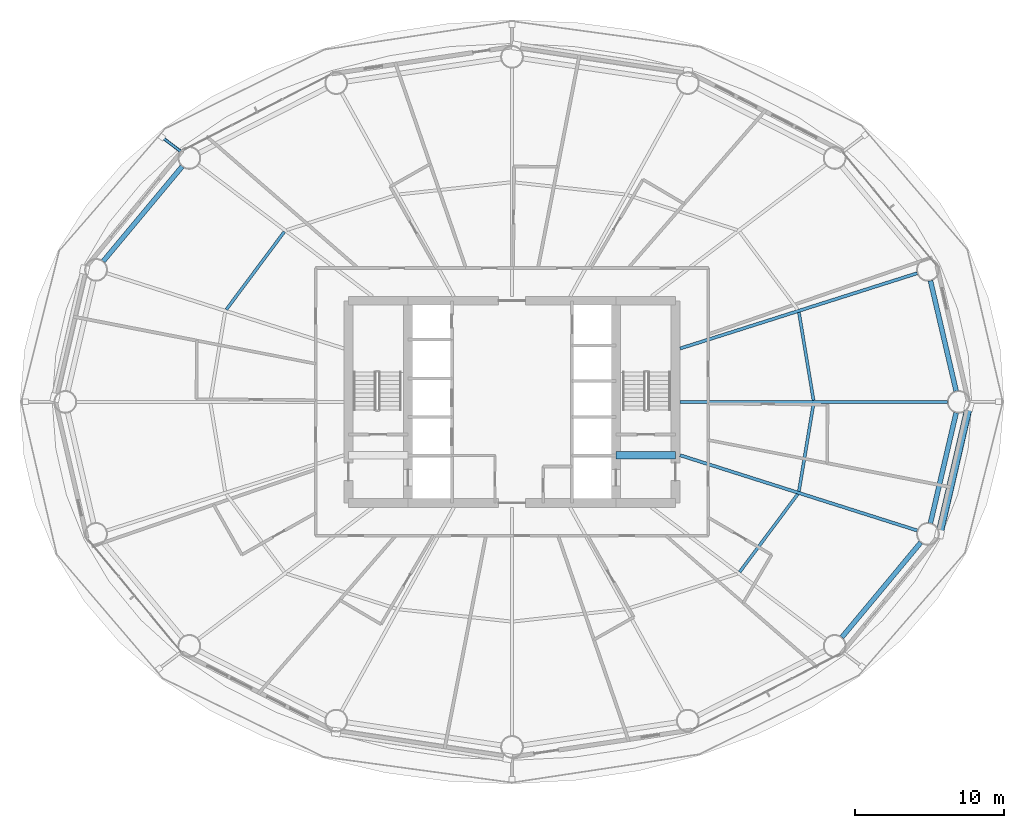
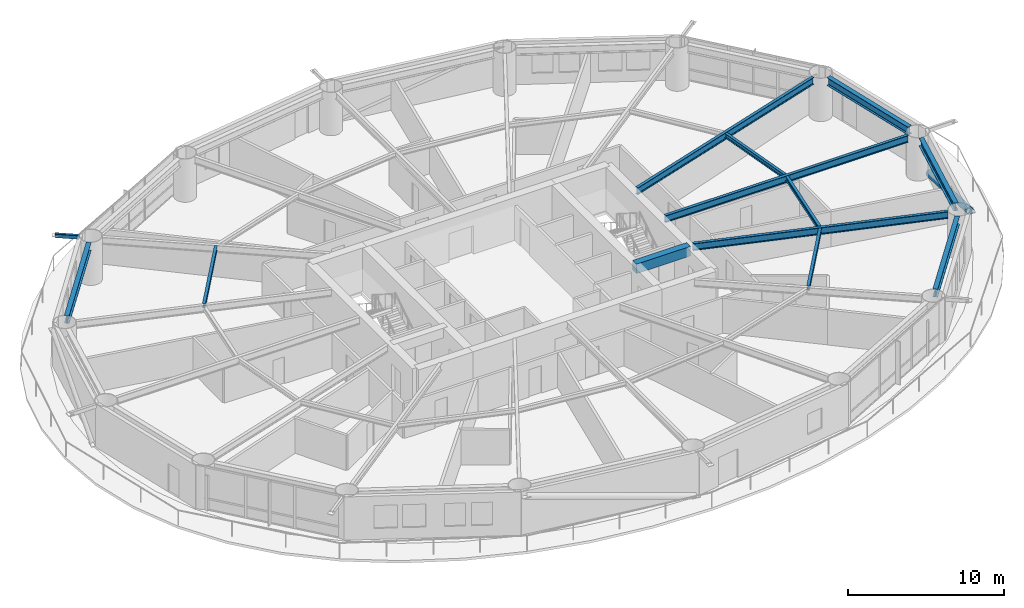
# One storey, part 9 of 26: 12 beams, 2 members.
"""IFC4 building model written with IfcOpenShell, lengths in metres."""

from ifc_helpers import new_model, si_unit, direction, frame, origin, origin_2d, place, context, subcontext, project, spatial, rectangle, hollow_rectangle, hollow_circle, i_section, extrude, material, material_profile, profile_set, type_object, element, save


model = new_model("IFC4")

# Units and contexts
model_context = context("Model", 3, precision=1e-05, world=origin(), true_north=direction((0.0, 1.0)))
body_context = subcontext(model_context, "Body", "Model", "MODEL_VIEW")
ifc_project = project(units=[si_unit("LENGTHUNIT", "METRE"), si_unit("AREAUNIT", "SQUARE_METRE"), si_unit("VOLUMEUNIT", "CUBIC_METRE"), si_unit("PLANEANGLEUNIT", "RADIAN"), si_unit("MASSUNIT", "GRAM", prefix="KILO")], contexts=[model_context])

# Site, building, storey
site_placement = place(None, origin())
site = spatial("IfcSite", under=ifc_project, at=site_placement, CompositionType="ELEMENT")
building_placement = place(site_placement, origin())
building = spatial("IfcBuilding", under=site, at=building_placement, Name="Sarneth Arch Tower", CompositionType="ELEMENT")
storey_placement = place(building_placement, frame((0.0, 0.0, 71.39990234375)))
storey = spatial("IfcBuildingStorey", under=building, at=storey_placement, Name="L17", CompositionType="ELEMENT", Elevation=71.39990234375)

# Beams
ifc_material_1 = material(Name="Steel S355", Category="steel")
ifc_material_profile_1 = material_profile(ifc_material_1, i_section(OverallWidth=0.202880859375, OverallDepth=0.346923828125, WebThickness=0.0078125, FlangeThickness=0.013427734375, FilletRadius=0.014892578125, at=origin_2d()), Name="W360x64")
ifc_profile_set_1 = profile_set([ifc_material_profile_1], Name="Steel S355")
beam_type_1 = type_object("IfcBeamType", Name="BM-JOIST-360C", PredefinedType="JOIST", material=ifc_profile_set_1)
beam_1_placement = place(storey_placement, frame((68.27490234375, 42.10546875, 3.20654296875), z_axis=(-0.16394288124, 0.986469833138, 0.0), x_axis=(-0.986469833138, -0.16394288124, 0.0)))
element("IfcBeam", 1, at=beam_1_placement, inside=storey, type_object=beam_type_1, Name="L17 Secondary floor joist 01", PredefinedType="JOIST", context=body_context, shape_type="SweptSolid", body=[
    extrude(i_section(OverallWidth=0.202880859375, OverallDepth=0.346923828125, WebThickness=0.0078125, FlangeThickness=0.013427734375, FilletRadius=0.014892578125, at=origin_2d()), origin(), (0.0, 0.0, 1.0), 5.989501953125),
])
for number, where, z_axis, x_axis, name in (
    (2, (32.691650390625, 53.4404296875, 3.20654296875), (-0.597700490469, -0.801719479428, 0.0), (0.801719479428, -0.597700490469, 0.0), "L17 Secondary floor joist 07"),
    (3, (63.308349609375, 30.5595703125, 3.20654296875), (0.597700490469, 0.801719479428, 0.0), (-0.801719479428, 0.597700490469, 0.0), "L17 Secondary floor joist 15"),
):
    element("IfcBeam", number, at=place(storey_placement, frame(where, z_axis=z_axis, x_axis=x_axis)), inside=storey, type_object=beam_type_1, Name=name, PredefinedType="JOIST", context=body_context, shape_type="SweptSolid", body=[
        extrude(i_section(OverallWidth=0.202880859375, OverallDepth=0.346923828125, WebThickness=0.0078125, FlangeThickness=0.013427734375, FilletRadius=0.014892578125, at=origin_2d()), origin(), (0.0, 0.0, 1.0), 6.5302734375),
    ])
beam_2_placement = place(storey_placement, frame((67.29296875, 35.986083984375, 3.20654296875), z_axis=(0.16394288124, 0.986469833138, 0.0), x_axis=(-0.986469833138, 0.16394288124, 0.0)))
element("IfcBeam", 4, at=beam_2_placement, inside=storey, type_object=beam_type_1, Name="L17 Secondary floor joist 16", PredefinedType="JOIST", context=body_context, shape_type="SweptSolid", body=[
    extrude(i_section(OverallWidth=0.202880859375, OverallDepth=0.346923828125, WebThickness=0.0078125, FlangeThickness=0.013427734375, FilletRadius=0.014892578125, at=origin_2d()), origin(), (0.0, 0.0, 1.0), 5.989501953125),
])
ifc_material_2 = material(Name="Concrete C50/60", Category="concrete")
ifc_material_profile_2 = material_profile(ifc_material_2, rectangle(XDim=0.5, YDim=0.75, at=origin_2d()), Name="RC-500x750")
ifc_profile_set_2 = profile_set([ifc_material_profile_2], Name="Concrete C50/60")
beam_type_2 = type_object("IfcBeamType", Name="BM-LINTEL-RC", PredefinedType="LINTEL", material=ifc_profile_set_2)
beam_3_placement = place(storey_placement, frame((55.0, 38.39990234375, 3.005126953125), z_axis=(1.0, 0.0, 0.0), x_axis=(0.0, 1.0, 0.0)))
element("IfcBeam", 5, at=beam_3_placement, inside=storey, type_object=beam_type_2, Name="L17 Core coupling lintel E", PredefinedType="LINTEL", context=body_context, shape_type="SweptSolid", body=[
    extrude(rectangle(XDim=0.5, YDim=0.75, at=origin_2d()), origin(), (0.0, 0.0, 1.0), 4.0),
])
ifc_material_3 = material(Name="Steel S355", Category="steel")
ifc_material_profile_3 = material_profile(ifc_material_3, i_section(OverallWidth=0.214111328125, OverallDepth=0.549072265625, WebThickness=0.0146484375, FlangeThickness=0.023681640625, FilletRadius=0.01806640625, at=origin_2d()), Name="W530x138")
ifc_profile_set_3 = profile_set([ifc_material_profile_3], Name="Steel S355")
beam_type_3 = type_object("IfcBeamType", Name="BM-RAD-530A", PredefinedType="BEAM", material=ifc_profile_set_3)
beam_4_placement = place(storey_placement, frame((59.300048828125, 42.0, 3.105712890625), z_axis=(1.0, 0.0, 0.0), x_axis=(0.0, 1.0, 0.0)))
element("IfcBeam", 6, at=beam_4_placement, inside=storey, type_object=beam_type_3, Name="L17 Radial floor girder 01", PredefinedType="BEAM", context=body_context, shape_type="SweptSolid", body=[
    extrude(i_section(OverallWidth=0.214111328125, OverallDepth=0.549072265625, WebThickness=0.0146484375, FlangeThickness=0.023681640625, FilletRadius=0.01806640625, at=origin_2d()), origin(), (0.0, 0.0, 1.0), 17.98486328125),
])
for number, where, z_axis, x_axis, name in (
    (7, (59.300048828125, 45.58740234375, 3.105712890625), (0.953119859464, 0.30259301627, 0.0), (-0.30259301627, 0.953119859464, 0.0), "L17 Radial floor girder 02"),
    (8, (59.300048828125, 38.41259765625, 3.105712890625), (0.953119859464, -0.30259301627, 0.0), (0.30259301627, 0.953119859464, 0.0), "L17 Radial floor girder 16"),
):
    element("IfcBeam", number, at=place(storey_placement, frame(where, z_axis=z_axis, x_axis=x_axis)), inside=storey, type_object=beam_type_3, Name=name, PredefinedType="BEAM", context=body_context, shape_type="SweptSolid", body=[
        extrude(i_section(OverallWidth=0.214111328125, OverallDepth=0.549072265625, WebThickness=0.0146484375, FlangeThickness=0.023681640625, FilletRadius=0.01806640625, at=origin_2d()), origin(), (0.0, 0.0, 1.0), 16.7353515625),
    ])
ifc_material_4 = material(Name="Steel S355", Category="steel")
ifc_material_profile_4 = material_profile(ifc_material_4, i_section(OverallWidth=0.326904296875, OverallDepth=0.6220703125, WebThickness=0.015380859375, FlangeThickness=0.0244140625, FilletRadius=0.01904296875, at=origin_2d()), Name="W610x195")
ifc_profile_set_4 = profile_set([ifc_material_profile_4], Name="Steel S355")
beam_type_4 = type_object("IfcBeamType", Name="BM-SPAN-610A", PredefinedType="SPANDREL", material=ifc_profile_set_4)
beam_5_placement = place(storey_placement, frame((77.864501953125, 42.73046875, 3.069091796875), z_axis=(-0.226982354826, 0.973898870827, 0.0), x_axis=(-0.973898870827, -0.226982354826, 0.0)))
element("IfcBeam", 9, at=beam_5_placement, inside=storey, type_object=beam_type_4, Name="L17 Perimeter spandrel beam 01", PredefinedType="SPANDREL", context=body_context, shape_type="SweptSolid", body=[
    extrude(i_section(OverallWidth=0.326904296875, OverallDepth=0.6220703125, WebThickness=0.015380859375, FlangeThickness=0.0244140625, FilletRadius=0.01904296875, at=origin_2d()), origin(), (0.0, 0.0, 1.0), 7.6162109375),
])
for number, where, z_axis, x_axis, name in (
    (10, (25.8232421875, 57.82861328125, 3.069091796875), (-0.639981736251, -0.768390120489, 0.0), (0.768390120489, -0.639981736251, 0.0), "L17 Perimeter spandrel beam 07"),
    (11, (70.1767578125, 26.17138671875, 3.069091796875), (0.639981736251, 0.768390120489, 0.0), (-0.768390120489, 0.639981736251, 0.0), "L17 Perimeter spandrel beam 15"),
):
    element("IfcBeam", number, at=place(storey_placement, frame(where, z_axis=z_axis, x_axis=x_axis)), inside=storey, type_object=beam_type_4, Name=name, PredefinedType="SPANDREL", context=body_context, shape_type="SweptSolid", body=[
        extrude(i_section(OverallWidth=0.326904296875, OverallDepth=0.6220703125, WebThickness=0.015380859375, FlangeThickness=0.0244140625, FilletRadius=0.01904296875, at=origin_2d()), origin(), (0.0, 0.0, 1.0), 8.29541015625),
    ])
beam_6_placement = place(storey_placement, frame((76.1357421875, 33.85205078125, 3.069091796875), z_axis=(0.226982354826, 0.973898870827, 0.0), x_axis=(-0.973898870827, 0.226982354826, 0.0)))
element("IfcBeam", 12, at=beam_6_placement, inside=storey, type_object=beam_type_4, Name="L17 Perimeter spandrel beam 16", PredefinedType="SPANDREL", context=body_context, shape_type="SweptSolid", body=[
    extrude(i_section(OverallWidth=0.326904296875, OverallDepth=0.6220703125, WebThickness=0.015380859375, FlangeThickness=0.0244140625, FilletRadius=0.01904296875, at=origin_2d()), origin(), (0.0, 0.0, 1.0), 7.6162109375),
])

# Members
ifc_material_5 = material(Name="Steel S355", Category="steel")
ifc_material_profile_5 = material_profile(ifc_material_5, hollow_rectangle(XDim=0.199951171875, YDim=0.300048828125, WallThickness=0.012451171875, InnerFilletRadius=0.018798828125, OuterFilletRadius=0.03125, at=origin_2d()), Name="RHS300x200x12.5")
ifc_profile_set_5 = profile_set([ifc_material_profile_5], Name="Steel S355")
member_type_1 = type_object("IfcMemberType", Name="MEM-CANT-STRUT", PredefinedType="STRUT", material=ifc_profile_set_5)
member_1_placement = place(storey_placement, frame((25.705078125, 58.857177734375, 3.22021484375), z_axis=(-0.79767591614, 0.603086339433, 0.0), x_axis=(-0.603086339433, -0.79767591614, 0.0)))
element("IfcMember", 13, at=member_1_placement, inside=storey, type_object=member_type_1, Name="L17 Balcony cantilever bracket 07", PredefinedType="STRUT", context=body_context, shape_type="SweptSolid", body=[
    extrude(hollow_rectangle(XDim=0.199951171875, YDim=0.300048828125, WallThickness=0.012451171875, InnerFilletRadius=0.018798828125, OuterFilletRadius=0.03125, at=origin_2d()), origin(), (0.0, 0.0, 1.0), 1.554443359375),
])
ifc_material_6 = material(Name="Steel S355", Category="steel")
ifc_material_profile_6 = material_profile(ifc_material_6, hollow_circle(Radius=0.25390625, WallThickness=0.01611328125, at=origin_2d()), Name="CHS508x16")
ifc_profile_set_6 = profile_set([ifc_material_profile_6], Name="Steel S355")
member_type_2 = type_object("IfcMemberType", Name="MEM-DIAG-BR1", PredefinedType="BRACE", material=ifc_profile_set_6)
member_2_placement = place(storey_placement, frame((78.725341796875, 41.707763671875, 0.02001953125), z_axis=(-0.213332307958, -0.922814312474, 0.320785085492), x_axis=(0.974304339016, -0.225235554419, 0.0)))
element("IfcMember", 14, at=member_2_placement, inside=storey, type_object=member_type_2, Name="L17 Perimeter frame diagonal 16", PredefinedType="BRACE", context=body_context, shape_type="SweptSolid", body=[
    extrude(hollow_circle(Radius=0.25390625, WallThickness=0.01611328125, at=origin_2d()), origin(), (0.0, 0.0, 1.0), 9.31103515625),
])

save(model, "model.ifc")
